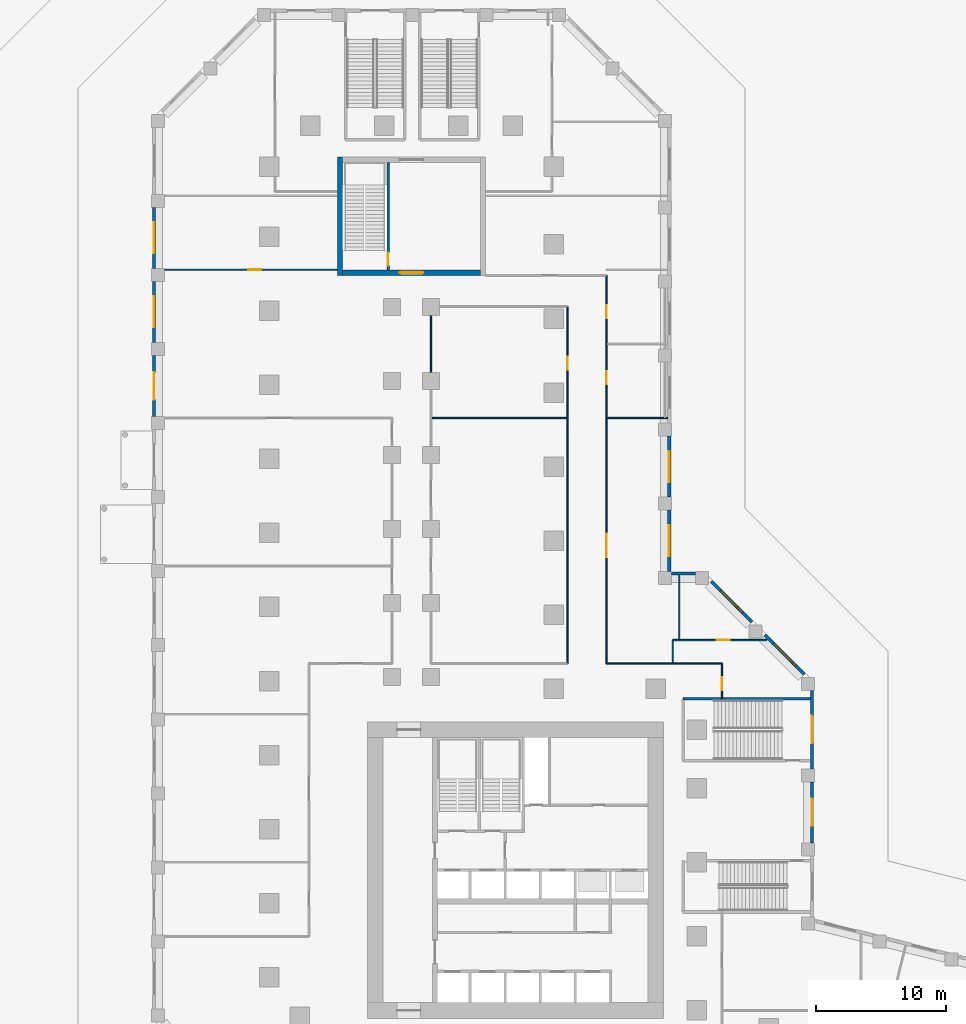
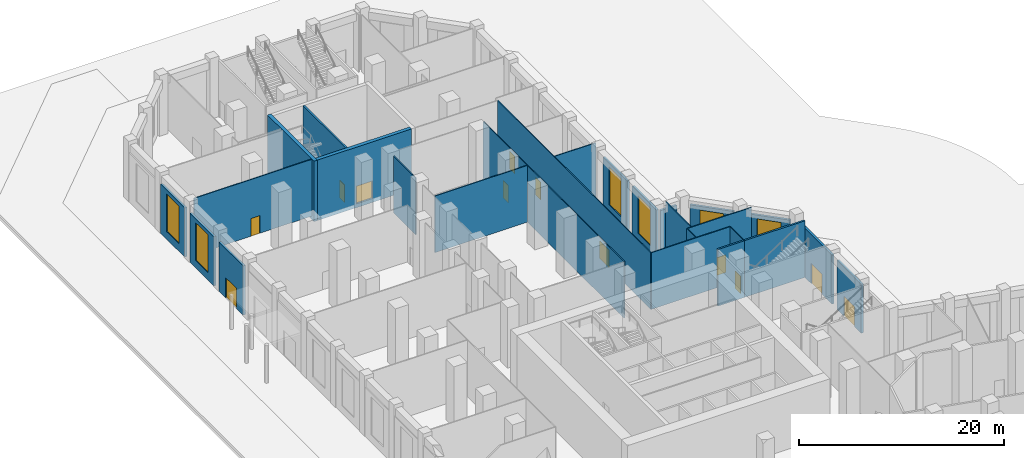
# One storey, part 18 of 27: 26 walls, 12 doors, 6 windows, 18 openings.
"""IFC4 building model written with IfcOpenShell, lengths in metres."""

from ifc_helpers import new_model, si_unit, direction, frame, frame_2d, origin, place, context, subcontext, project, spatial, rectangle, extrude, material, layer, layer_set, type_object, element, fill, save


model = new_model("IFC4")

# Units and contexts
model_context = context("Model", 3, precision=1e-05, world=origin(), true_north=direction((0.0, 1.0)))
body_context = subcontext(model_context, "Body", "Model", "MODEL_VIEW")
ifc_project = project(units=[si_unit("LENGTHUNIT", "METRE"), si_unit("AREAUNIT", "SQUARE_METRE"), si_unit("VOLUMEUNIT", "CUBIC_METRE"), si_unit("PLANEANGLEUNIT", "RADIAN"), si_unit("MASSUNIT", "GRAM", prefix="KILO")], contexts=[model_context])

# Site, building, storey
site_placement = place(None, origin())
site = spatial("IfcSite", under=ifc_project, at=site_placement, CompositionType="ELEMENT")
building_placement = place(site_placement, origin())
building = spatial("IfcBuilding", under=site, at=building_placement, Name="Meshkara Civic Tower", CompositionType="ELEMENT")
storey_placement = place(building_placement, origin())
storey = spatial("IfcBuildingStorey", under=building, at=storey_placement, Name="L00", CompositionType="ELEMENT", Elevation=0.0)

# Wall, opening, door
ifc_material_1 = material(Name="Corridor wall 100")
ifc_layer_1 = layer(ifc_material_1, 0.10009765625)
ifc_layer_set_1 = layer_set([ifc_layer_1], Name="Corridor wall 100")
wall_type_1 = type_object("IfcWallType", Name="Corridor wall 100", PredefinedType="PARTITIONING", material=ifc_layer_set_1)
wall_1_placement = place(storey_placement, frame((5.699951171875, 71.699951171875, 0.0), z_axis=(0.0, 0.0, 1.0), x_axis=(-1.0, 0.0, 0.0)))
wall_1 = element("IfcWall", 1, at=wall_1_placement, inside=storey, type_object=wall_type_1, Name="L00-R009", PredefinedType="PARTITIONING", context=body_context, shape_type="SweptSolid", body=[
    extrude(rectangle(XDim=13.280029296875, YDim=0.10009765625, at=frame_2d((6.64013671875, 0.0))), origin(), (0.0, 0.0, 1.0), 6.75),
])
opening_1_placement = place(wall_1_placement, frame((5.8798828125, 0.0, 0.0)))
opening_1 = element("IfcOpeningElement", 2, at=opening_1_placement, cuts=wall_1, Name="Opening L00-P033", PredefinedType="OPENING", context=body_context, shape_type="SweptSolid", body=[
    extrude(rectangle(XDim=1.0, YDim=2.10009765625, at=frame_2d((0.5, 1.050048828125))), frame((0.0, 0.06005859375, 0.0), z_axis=(0.0, -1.0, 0.0), x_axis=(1.0, 0.0, 0.0)), (0.0, 0.0, 1.0), 0.1201171875),
])
ifc_material_2 = material(Name="Door 1000 x 2100")
door_type_1 = type_object("IfcDoorType", Name="Door 1000 x 2100", OperationType="SINGLE_SWING_LEFT", PredefinedType="DOOR", material=ifc_material_2)
door_1_placement = place(opening_1_placement, origin())
door_1 = element("IfcDoor", 3, at=door_1_placement, inside=storey, type_object=door_type_1, Name="L00-P033", OperationType="SINGLE_SWING_LEFT", OverallHeight=2.10009765625, OverallWidth=1.0, PredefinedType="DOOR", context=body_context, shape_type="SweptSolid", body=[
    extrude(rectangle(XDim=1.0, YDim=2.10009765625, at=frame_2d((0.5, 1.050048828125))), frame((0.0, 0.02490234375, 0.0), z_axis=(0.0, -1.0, 0.0), x_axis=(1.0, 0.0, 0.0)), (0.0, 0.0, 1.0), 0.050048828125),
])
fill(opening_1, door_1)

# Wall
wall_2_placement = place(storey_placement, frame((12.89990234375, 63.820068359375, 0.0), z_axis=(0.0, 0.0, 1.0), x_axis=(0.0, 1.0, 0.0)))
element("IfcWall", 4, at=wall_2_placement, inside=storey, type_object=wall_type_1, Name="L00-R023", PredefinedType="PARTITIONING", context=body_context, shape_type="SweptSolid", body=[
    extrude(rectangle(XDim=4.35986328125, YDim=0.10009765625, at=frame_2d((2.179931640625, 0.0))), origin(), (0.0, 0.0, 1.0), 6.75),
])

# Wall, opening, door
wall_3_placement = place(storey_placement, frame((23.39990234375, 68.8701171875, 0.0), z_axis=(0.0, 0.0, 1.0), x_axis=(0.0, -1.0, 0.0)))
wall_3 = element("IfcWall", 5, at=wall_3_placement, inside=storey, type_object=wall_type_1, Name="L00-R033", PredefinedType="PARTITIONING", context=body_context, shape_type="SweptSolid", body=[
    extrude(rectangle(XDim=27.47021484375, YDim=0.10009765625, at=frame_2d((13.735107421875, 0.0))), origin(), (0.0, 0.0, 1.0), 6.75),
])
opening_2_placement = place(wall_3_placement, frame((3.8798828125, 0.0, 0.0)))
opening_2 = element("IfcOpeningElement", 6, at=opening_2_placement, cuts=wall_3, Name="Opening L00-P031", PredefinedType="OPENING", context=body_context, shape_type="SweptSolid", body=[
    extrude(rectangle(XDim=1.0, YDim=2.10009765625, at=frame_2d((0.5, 1.050048828125))), frame((0.0, 0.06005859375, 0.0), z_axis=(0.0, -1.0, 0.0), x_axis=(1.0, 0.0, 0.0)), (0.0, 0.0, 1.0), 0.1201171875),
])
door_2_placement = place(opening_2_placement, origin())
door_2 = element("IfcDoor", 7, at=door_2_placement, inside=storey, type_object=door_type_1, Name="L00-P031", OperationType="SINGLE_SWING_RIGHT", OverallHeight=2.10009765625, OverallWidth=1.0, PredefinedType="DOOR", context=body_context, shape_type="SweptSolid", body=[
    extrude(rectangle(XDim=1.0, YDim=2.10009765625, at=frame_2d((0.5, 1.050048828125))), frame((0.0, 0.02490234375, 0.0), z_axis=(0.0, -1.0, 0.0), x_axis=(1.0, 0.0, 0.0)), (0.0, 0.0, 1.0), 0.050048828125),
])
fill(opening_2, door_2)

# Wall, openings, doors
wall_4_placement = place(storey_placement, frame((26.39990234375, 41.39990234375, 0.0), z_axis=(0.0, 0.0, 1.0), x_axis=(0.0, 1.0, 0.0)))
wall_4 = element("IfcWall", 8, at=wall_4_placement, inside=storey, type_object=wall_type_1, Name="L00-R035", PredefinedType="PARTITIONING", context=body_context, shape_type="SweptSolid", body=[
    extrude(rectangle(XDim=29.8701171875, YDim=0.10009765625, at=frame_2d((14.93505859375, 0.0))), origin(), (0.0, 0.0, 1.0), 6.75),
])
opening_3_placement = place(wall_4_placement, frame((8.179931640625, 0.0, 0.0)))
opening_3 = element("IfcOpeningElement", 9, at=opening_3_placement, cuts=wall_4, Name="Opening L00-P027", PredefinedType="OPENING", context=body_context, shape_type="SweptSolid", body=[
    extrude(rectangle(XDim=1.800048828125, YDim=2.10009765625, at=frame_2d((0.89990234375, 1.050048828125))), frame((0.0, 0.06005859375, 0.0), z_axis=(0.0, -1.0, 0.0), x_axis=(1.0, 0.0, 0.0)), (0.0, 0.0, 1.0), 0.1201171875),
])
opening_4_placement = place(wall_4_placement, frame((21.47998046875, 0.0, 0.0)))
opening_4 = element("IfcOpeningElement", 10, at=opening_4_placement, cuts=wall_4, Name="Opening L00-P032", PredefinedType="OPENING", context=body_context, shape_type="SweptSolid", body=[
    extrude(rectangle(XDim=1.0, YDim=2.10009765625, at=frame_2d((0.5, 1.050048828125))), frame((0.0, 0.06005859375, 0.0), z_axis=(0.0, -1.0, 0.0), x_axis=(1.0, 0.0, 0.0)), (0.0, 0.0, 1.0), 0.1201171875),
])
opening_5_placement = place(wall_4_placement, frame((26.580078125, 0.0, 0.0)))
opening_5 = element("IfcOpeningElement", 11, at=opening_5_placement, cuts=wall_4, Name="Opening L00-P035", PredefinedType="OPENING", context=body_context, shape_type="SweptSolid", body=[
    extrude(rectangle(XDim=1.0, YDim=2.10009765625, at=frame_2d((0.5, 1.050048828125))), frame((0.0, 0.06005859375, 0.0), z_axis=(0.0, -1.0, 0.0), x_axis=(1.0, 0.0, 0.0)), (0.0, 0.0, 1.0), 0.1201171875),
])
door_3_placement = place(opening_4_placement, origin())
door_3 = element("IfcDoor", 12, at=door_3_placement, inside=storey, type_object=door_type_1, Name="L00-P032", OperationType="SINGLE_SWING_LEFT", OverallHeight=2.10009765625, OverallWidth=1.0, PredefinedType="DOOR", context=body_context, shape_type="SweptSolid", body=[
    extrude(rectangle(XDim=1.0, YDim=2.10009765625, at=frame_2d((0.5, 1.050048828125))), frame((0.0, 0.02490234375, 0.0), z_axis=(0.0, -1.0, 0.0), x_axis=(1.0, 0.0, 0.0)), (0.0, 0.0, 1.0), 0.050048828125),
])
fill(opening_4, door_3)
door_4_placement = place(opening_5_placement, origin())
door_4 = element("IfcDoor", 13, at=door_4_placement, inside=storey, type_object=door_type_1, Name="L00-P035", OperationType="SINGLE_SWING_RIGHT", OverallHeight=2.10009765625, OverallWidth=1.0, PredefinedType="DOOR", context=body_context, shape_type="SweptSolid", body=[
    extrude(rectangle(XDim=1.0, YDim=2.10009765625, at=frame_2d((0.5, 1.050048828125))), frame((0.0, 0.02490234375, 0.0), z_axis=(0.0, -1.0, 0.0), x_axis=(1.0, 0.0, 0.0)), (0.0, 0.0, 1.0), 0.050048828125),
])
fill(opening_5, door_4)
ifc_material_3 = material(Name="Door pair 1800 x 2100")
door_type_2 = type_object("IfcDoorType", Name="Door pair 1800 x 2100", OperationType="SINGLE_SWING_LEFT", PredefinedType="DOOR", material=ifc_material_3)
door_5_placement = place(opening_3_placement, origin())
door_5 = element("IfcDoor", 14, at=door_5_placement, inside=storey, type_object=door_type_2, Name="L00-P027", OperationType="DOUBLE_DOOR_SINGLE_SWING", OverallHeight=2.10009765625, OverallWidth=1.800048828125, PredefinedType="DOOR", context=body_context, shape_type="SweptSolid", body=[
    extrude(rectangle(XDim=1.800048828125, YDim=2.10009765625, at=frame_2d((0.89990234375, 1.050048828125))), frame((0.0, 0.02490234375, 0.0), z_axis=(0.0, -1.0, 0.0), x_axis=(1.0, 0.0, 0.0)), (0.0, 0.0, 1.0), 0.050048828125),
])
fill(opening_3, door_5)

# Wall
wall_5_placement = place(storey_placement, frame((26.39990234375, 41.39990234375, 0.0), z_axis=(0.0, 0.0, 1.0), x_axis=(1.0, 0.0, 0.0)))
element("IfcWall", 15, at=wall_5_placement, inside=storey, type_object=wall_type_1, Name="L00-R036", PredefinedType="PARTITIONING", context=body_context, shape_type="SweptSolid", body=[
    extrude(rectangle(XDim=8.900146484375, YDim=0.10009765625, at=frame_2d((4.4501953125, 0.0))), origin(), (0.0, 0.0, 1.0), 6.75),
])

# Wall, opening, door
wall_6_placement = place(storey_placement, frame((35.300048828125, 38.675048828125, 0.0), z_axis=(0.0, 0.0, 1.0), x_axis=(0.0, 1.0, 0.0)))
wall_6 = element("IfcWall", 16, at=wall_6_placement, inside=storey, type_object=wall_type_1, Name="L00-R048", PredefinedType="PARTITIONING", context=body_context, shape_type="SweptSolid", body=[
    extrude(rectangle(XDim=2.724853515625, YDim=0.10009765625, at=frame_2d((1.3623046875, 0.0))), origin(), (0.0, 0.0, 1.0), 6.75),
])
opening_6_placement = place(wall_6_placement, frame((0.679931640625, 0.0, 0.0)))
opening_6 = element("IfcOpeningElement", 17, at=opening_6_placement, cuts=wall_6, Name="Opening L00-P023", PredefinedType="OPENING", context=body_context, shape_type="SweptSolid", body=[
    extrude(rectangle(XDim=1.0, YDim=2.10009765625, at=frame_2d((0.5, 1.050048828125))), frame((0.0, 0.06005859375, 0.0), z_axis=(0.0, -1.0, 0.0), x_axis=(1.0, 0.0, 0.0)), (0.0, 0.0, 1.0), 0.1201171875),
])
door_6_placement = place(opening_6_placement, origin())
door_6 = element("IfcDoor", 18, at=door_6_placement, inside=storey, type_object=door_type_1, Name="L00-P023", OperationType="SINGLE_SWING_LEFT", OverallHeight=2.10009765625, OverallWidth=1.0, PredefinedType="DOOR", context=body_context, shape_type="SweptSolid", body=[
    extrude(rectangle(XDim=1.0, YDim=2.10009765625, at=frame_2d((0.5, 1.050048828125))), frame((0.0, 0.02490234375, 0.0), z_axis=(0.0, -1.0, 0.0), x_axis=(1.0, 0.0, 0.0)), (0.0, 0.0, 1.0), 0.050048828125),
])
fill(opening_6, door_6)

# Wall
ifc_material_4 = material(Name="Concrete C80", Category="concrete")
ifc_layer_2 = layer(ifc_material_4, 0.39990234375)
ifc_layer_set_2 = layer_set([ifc_layer_2], Name="End core ring wall 400 C80")
wall_type_2 = type_object("IfcWallType", Name="End core ring wall 400 C80", PredefinedType="SHEAR", material=ifc_layer_set_2)
wall_7_placement = place(storey_placement, frame((5.89990234375, 71.27001953125, -0.449951171875), z_axis=(0.0, 0.0, 1.0), x_axis=(0.0, 1.0, 0.0)))
element("IfcWall", 19, at=wall_7_placement, inside=storey, type_object=wall_type_2, Name="L00-C025", PredefinedType="SHEAR", context=body_context, shape_type="SweptSolid", body=[
    extrude(rectangle(XDim=9.10009765625, YDim=0.39990234375, at=frame_2d((4.550048828125, 0.0))), origin(), (0.0, 0.0, 1.0), 7.199951171875),
])

# Wall, opening, door
wall_8_placement = place(storey_placement, frame((6.10009765625, 71.469970703125, -0.449951171875), z_axis=(0.0, 0.0, 1.0), x_axis=(1.0, 0.0, 0.0)))
wall_8 = element("IfcWall", 20, at=wall_8_placement, inside=storey, type_object=wall_type_2, Name="L00-C027", PredefinedType="SHEAR", context=body_context, shape_type="SweptSolid", body=[
    extrude(rectangle(XDim=10.599853515625, YDim=0.39990234375, at=frame_2d((5.2998046875, 0.0))), origin(), (0.0, 0.0, 1.0), 7.199951171875),
])
opening_7_placement = place(wall_8_placement, frame((4.39990234375, 0.0, 0.449951171875)))
opening_7 = element("IfcOpeningElement", 21, at=opening_7_placement, cuts=wall_8, Name="Opening L00-K102", PredefinedType="OPENING", context=body_context, shape_type="SweptSolid", body=[
    extrude(rectangle(XDim=1.800048828125, YDim=2.10009765625, at=frame_2d((0.89990234375, 1.050048828125))), frame((0.0, 0.2099609375, 0.0), z_axis=(0.0, -1.0, 0.0), x_axis=(1.0, 0.0, 0.0)), (0.0, 0.0, 1.0), 0.419921875),
])
ifc_material_5 = material(Name="Fire-rated door leaf in steel frame", Category="steel")
door_type_3 = type_object("IfcDoorType", Name="Core double door 1800 EI 60", OperationType="DOUBLE_DOOR_SINGLE_SWING", PredefinedType="DOOR", material=ifc_material_5)
door_7_placement = place(opening_7_placement, origin())
door_7 = element("IfcDoor", 22, at=door_7_placement, inside=storey, type_object=door_type_3, Name="L00-K102", OperationType="DOUBLE_DOOR_SINGLE_SWING", OverallHeight=2.10009765625, OverallWidth=1.800048828125, PredefinedType="DOOR", context=body_context, shape_type="SweptSolid", body=[
    extrude(rectangle(XDim=1.800048828125, YDim=2.10009765625, at=frame_2d((0.89990234375, 1.050048828125))), frame((0.0, 0.02490234375, 0.0), z_axis=(0.0, -1.0, 0.0), x_axis=(1.0, 0.0, 0.0)), (0.0, 0.0, 1.0), 0.050048828125),
])
fill(opening_7, door_7)

# Wall, opening, window
ifc_material_6 = material(Name="Stone cladding on insulated backing wall", Category="masonry")
ifc_layer_3 = layer(ifc_material_6, 0.25)
ifc_layer_set_3 = layer_set([ifc_layer_3], Name="PODIUM STONE WALL 250")
wall_type_3 = type_object("IfcWallType", Name="PODIUM STONE WALL 250", PredefinedType="SOLIDWALL", material=ifc_layer_set_3)
wall_9_placement = place(storey_placement, frame((-8.425048828125, 76.510986328125, 0.0), z_axis=(0.0, 0.0, 1.0), x_axis=(0.0, -1.0, 0.0)))
wall_9 = element("IfcWall", 23, at=wall_9_placement, inside=storey, type_object=wall_type_3, Name="Podium external wall", PredefinedType="SOLIDWALL", context=body_context, shape_type="SweptSolid", body=[
    extrude(rectangle(XDim=4.699951171875, YDim=0.25, at=frame_2d((2.35009765625, 0.0))), origin(), (0.0, 0.0, 1.0), 5.85009765625),
])
opening_8_placement = place(wall_9_placement, frame((1.14990234375, 0.0, 0.89990234375)))
opening_8 = element("IfcOpeningElement", 24, at=opening_8_placement, cuts=wall_9, Name="Opening PW1", PredefinedType="OPENING", context=body_context, shape_type="SweptSolid", body=[
    extrude(rectangle(XDim=2.39990234375, YDim=4.5, at=frame_2d((1.199951171875, 2.25))), frame((0.0, 0.135009765625, 0.0), z_axis=(0.0, -1.0, 0.0), x_axis=(1.0, 0.0, 0.0)), (0.0, 0.0, 1.0), 0.27001953125),
])
ifc_material_7 = material(Name="Tinted double glazing", Category="glass")
window_type = type_object("IfcWindowType", Name="PODIUM WINDOW 2400x4500", PartitioningType="DOUBLE_PANEL_VERTICAL", PredefinedType="WINDOW", material=ifc_material_7)
window_1_placement = place(opening_8_placement, origin())
window_1 = element("IfcWindow", 25, at=window_1_placement, inside=storey, type_object=window_type, Name="Podium window", OverallHeight=4.5, OverallWidth=2.39990234375, PartitioningType="DOUBLE_PANEL_VERTICAL", PredefinedType="WINDOW", context=body_context, shape_type="SweptSolid", body=[
    extrude(rectangle(XDim=2.39990234375, YDim=4.5, at=frame_2d((1.199951171875, 2.25))), frame((0.0, 0.030029296875, 0.0), z_axis=(0.0, -1.0, 0.0), x_axis=(1.0, 0.0, 0.0)), (0.0, 0.0, 1.0), 0.06005859375),
])
fill(opening_8, window_1)

wall_10_placement = place(storey_placement, frame((-8.425048828125, 70.81103515625, 0.0), z_axis=(0.0, 0.0, 1.0), x_axis=(0.0, -1.0, 0.0)))
wall_10 = element("IfcWall", 26, at=wall_10_placement, inside=storey, type_object=wall_type_3, Name="Podium external wall", PredefinedType="SOLIDWALL", context=body_context, shape_type="SweptSolid", body=[
    extrude(rectangle(XDim=4.699951171875, YDim=0.25, at=frame_2d((2.35009765625, 0.0))), origin(), (0.0, 0.0, 1.0), 5.85009765625),
])
opening_9_placement = place(wall_10_placement, frame((1.14990234375, 0.0, 0.89990234375)))
opening_9 = element("IfcOpeningElement", 27, at=opening_9_placement, cuts=wall_10, Name="Opening PW1", PredefinedType="OPENING", context=body_context, shape_type="SweptSolid", body=[
    extrude(rectangle(XDim=2.39990234375, YDim=4.5, at=frame_2d((1.199951171875, 2.25))), frame((0.0, 0.135009765625, 0.0), z_axis=(0.0, -1.0, 0.0), x_axis=(1.0, 0.0, 0.0)), (0.0, 0.0, 1.0), 0.27001953125),
])
window_2_placement = place(opening_9_placement, origin())
window_2 = element("IfcWindow", 28, at=window_2_placement, inside=storey, type_object=window_type, Name="Podium window", OverallHeight=4.5, OverallWidth=2.39990234375, PartitioningType="DOUBLE_PANEL_VERTICAL", PredefinedType="WINDOW", context=body_context, shape_type="SweptSolid", body=[
    extrude(rectangle(XDim=2.39990234375, YDim=4.5, at=frame_2d((1.199951171875, 2.25))), frame((0.0, 0.030029296875, 0.0), z_axis=(0.0, -1.0, 0.0), x_axis=(1.0, 0.0, 0.0)), (0.0, 0.0, 1.0), 0.06005859375),
])
fill(opening_9, window_2)

# Wall, opening, door
wall_11_placement = place(storey_placement, frame((-8.425048828125, 65.111083984375, 0.0), z_axis=(0.0, 0.0, 1.0), x_axis=(0.0, -1.0, 0.0)))
wall_11 = element("IfcWall", 29, at=wall_11_placement, inside=storey, type_object=wall_type_3, Name="Podium external wall", PredefinedType="SOLIDWALL", context=body_context, shape_type="SweptSolid", body=[
    extrude(rectangle(XDim=4.7001953125, YDim=0.25, at=frame_2d((2.35009765625, 0.0))), origin(), (0.0, 0.0, 1.0), 5.85009765625),
])
opening_10_placement = place(wall_11_placement, frame((1.300048828125, 0.0, 0.0)))
opening_10 = element("IfcOpeningElement", 30, at=opening_10_placement, cuts=wall_11, Name="Opening L00-G005", PredefinedType="OPENING", context=body_context, shape_type="SweptSolid", body=[
    extrude(rectangle(XDim=2.10009765625, YDim=2.39990234375, at=frame_2d((1.050048828125, 1.199951171875))), frame((0.0, 0.135009765625, 0.0), z_axis=(0.0, -1.0, 0.0), x_axis=(1.0, 0.0, 0.0)), (0.0, 0.0, 1.0), 0.27001953125),
])
ifc_material_8 = material(Name="Steel S355", Category="steel")
door_type_4 = type_object("IfcDoorType", Name="EXIT DOOR PAIR 2100x2400", OperationType="DOUBLE_DOOR_DOUBLE_SWING", PredefinedType="DOOR", material=ifc_material_8)
door_8_placement = place(opening_10_placement, origin())
door_8 = element("IfcDoor", 31, at=door_8_placement, inside=storey, type_object=door_type_4, Name="L00-G005", OperationType="DOUBLE_DOOR_DOUBLE_SWING", OverallHeight=2.39990234375, OverallWidth=2.10009765625, PredefinedType="DOOR", context=body_context, shape_type="SweptSolid", body=[
    extrude(rectangle(XDim=2.10009765625, YDim=2.39990234375, at=frame_2d((1.050048828125, 1.199951171875))), frame((0.0, 0.02490234375, 0.0), z_axis=(0.0, -1.0, 0.0), x_axis=(1.0, 0.0, 0.0)), (0.0, 0.0, 1.0), 0.050048828125),
])
fill(opening_10, door_8)

wall_12_placement = place(storey_placement, frame((42.22509765625, 27.59912109375, 0.0), z_axis=(0.0, 0.0, 1.0), x_axis=(0.0, 1.0, 0.0)))
wall_12 = element("IfcWall", 32, at=wall_12_placement, inside=storey, type_object=wall_type_3, Name="Podium external wall", PredefinedType="SOLIDWALL", context=body_context, shape_type="SweptSolid", body=[
    extrude(rectangle(XDim=4.699951171875, YDim=0.25, at=frame_2d((2.35009765625, 0.0))), origin(), (0.0, 0.0, 1.0), 5.85009765625),
])
opening_11_placement = place(wall_12_placement, frame((1.300048828125, 0.0, 0.0)))
opening_11 = element("IfcOpeningElement", 33, at=opening_11_placement, cuts=wall_12, Name="Opening L00-G019", PredefinedType="OPENING", context=body_context, shape_type="SweptSolid", body=[
    extrude(rectangle(XDim=2.10009765625, YDim=2.39990234375, at=frame_2d((1.050048828125, 1.199951171875))), frame((0.0, 0.135009765625, 0.0), z_axis=(0.0, -1.0, 0.0), x_axis=(1.0, 0.0, 0.0)), (0.0, 0.0, 1.0), 0.27001953125),
])
door_9_placement = place(opening_11_placement, origin())
door_9 = element("IfcDoor", 34, at=door_9_placement, inside=storey, type_object=door_type_4, Name="L00-G019", OperationType="DOUBLE_DOOR_DOUBLE_SWING", OverallHeight=2.39990234375, OverallWidth=2.10009765625, PredefinedType="DOOR", context=body_context, shape_type="SweptSolid", body=[
    extrude(rectangle(XDim=2.10009765625, YDim=2.39990234375, at=frame_2d((1.050048828125, 1.199951171875))), frame((0.0, 0.02490234375, 0.0), z_axis=(0.0, -1.0, 0.0), x_axis=(1.0, 0.0, 0.0)), (0.0, 0.0, 1.0), 0.050048828125),
])
fill(opening_11, door_9)

wall_13_placement = place(storey_placement, frame((42.22509765625, 33.299072265625, 0.0), z_axis=(0.0, 0.0, 1.0), x_axis=(0.0, 1.0, 0.0)))
wall_13 = element("IfcWall", 35, at=wall_13_placement, inside=storey, type_object=wall_type_3, Name="Podium external wall", PredefinedType="SOLIDWALL", context=body_context, shape_type="SweptSolid", body=[
    extrude(rectangle(XDim=6.036865234375, YDim=0.25, at=frame_2d((3.0185546875, 0.0))), origin(), (0.0, 0.0, 1.0), 5.85009765625),
])
opening_12_placement = place(wall_13_placement, frame((1.968017578125, 0.0, 0.0)))
opening_12 = element("IfcOpeningElement", 36, at=opening_12_placement, cuts=wall_13, Name="Opening L00-G020", PredefinedType="OPENING", context=body_context, shape_type="SweptSolid", body=[
    extrude(rectangle(XDim=2.10009765625, YDim=2.39990234375, at=frame_2d((1.050048828125, 1.199951171875))), frame((0.0, 0.135009765625, 0.0), z_axis=(0.0, -1.0, 0.0), x_axis=(1.0, 0.0, 0.0)), (0.0, 0.0, 1.0), 0.27001953125),
])
door_10_placement = place(opening_12_placement, origin())
door_10 = element("IfcDoor", 37, at=door_10_placement, inside=storey, type_object=door_type_4, Name="L00-G020", OperationType="DOUBLE_DOOR_DOUBLE_SWING", OverallHeight=2.39990234375, OverallWidth=2.10009765625, PredefinedType="DOOR", context=body_context, shape_type="SweptSolid", body=[
    extrude(rectangle(XDim=2.10009765625, YDim=2.39990234375, at=frame_2d((1.050048828125, 1.199951171875))), frame((0.0, 0.02490234375, 0.0), z_axis=(0.0, -1.0, 0.0), x_axis=(1.0, 0.0, 0.0)), (0.0, 0.0, 1.0), 0.050048828125),
])
fill(opening_12, door_10)

# Wall, opening, window
wall_14_placement = place(storey_placement, frame((41.6298828125, 40.56591796875, 0.0), z_axis=(0.0, 0.0, 1.0), x_axis=(-0.707078301545, 0.707135259681, 0.0)))
wall_14 = element("IfcWall", 38, at=wall_14_placement, inside=storey, type_object=wall_type_3, Name="Podium external wall", PredefinedType="SOLIDWALL", context=body_context, shape_type="SweptSolid", body=[
    extrude(rectangle(XDim=4.286376953125, YDim=0.25, at=frame_2d((2.14306640625, 0.0))), origin(), (0.0, 0.0, 1.0), 5.85009765625),
])
opening_13_placement = place(wall_14_placement, frame((0.943115234375, 0.0, 0.89990234375)))
opening_13 = element("IfcOpeningElement", 39, at=opening_13_placement, cuts=wall_14, Name="Opening PW1", PredefinedType="OPENING", context=body_context, shape_type="SweptSolid", body=[
    extrude(rectangle(XDim=2.39990234375, YDim=4.5, at=frame_2d((1.199951171875, 2.25))), frame((0.0, 0.135009765625, 0.0), z_axis=(0.0, -1.0, 0.0), x_axis=(1.0, 0.0, 0.0)), (0.0, 0.0, 1.0), 0.27001953125),
])
window_3_placement = place(opening_13_placement, origin())
window_3 = element("IfcWindow", 40, at=window_3_placement, inside=storey, type_object=window_type, Name="Podium window", OverallHeight=4.5, OverallWidth=2.39990234375, PartitioningType="DOUBLE_PANEL_VERTICAL", PredefinedType="WINDOW", context=body_context, shape_type="SweptSolid", body=[
    extrude(rectangle(XDim=2.39990234375, YDim=4.5, at=frame_2d((1.199951171875, 2.25))), frame((0.0, 0.030029296875, 0.0), z_axis=(0.0, -1.0, 0.0), x_axis=(1.0, 0.0, 0.0)), (0.0, 0.0, 1.0), 0.06005859375),
])
fill(opening_13, window_3)

wall_15_placement = place(storey_placement, frame((37.59912109375, 44.596923828125, 0.0), z_axis=(0.0, 0.0, 1.0), x_axis=(-0.707106781187, 0.707106781187, 0.0)))
wall_15 = element("IfcWall", 41, at=wall_15_placement, inside=storey, type_object=wall_type_3, Name="Podium external wall", PredefinedType="SOLIDWALL", context=body_context, shape_type="SweptSolid", body=[
    extrude(rectangle(XDim=4.430908203125, YDim=0.25, at=frame_2d((2.21533203125, 0.0))), origin(), (0.0, 0.0, 1.0), 5.85009765625),
])
opening_14_placement = place(wall_15_placement, frame((1.014892578125, 0.0, 0.89990234375)))
opening_14 = element("IfcOpeningElement", 42, at=opening_14_placement, cuts=wall_15, Name="Opening PW1", PredefinedType="OPENING", context=body_context, shape_type="SweptSolid", body=[
    extrude(rectangle(XDim=2.39990234375, YDim=4.5, at=frame_2d((1.199951171875, 2.25))), frame((0.0, 0.135009765625, 0.0), z_axis=(0.0, -1.0, 0.0), x_axis=(1.0, 0.0, 0.0)), (0.0, 0.0, 1.0), 0.27001953125),
])
window_4_placement = place(opening_14_placement, origin())
window_4 = element("IfcWindow", 43, at=window_4_placement, inside=storey, type_object=window_type, Name="Podium window", OverallHeight=4.5, OverallWidth=2.39990234375, PartitioningType="DOUBLE_PANEL_VERTICAL", PredefinedType="WINDOW", context=body_context, shape_type="SweptSolid", body=[
    extrude(rectangle(XDim=2.39990234375, YDim=4.5, at=frame_2d((1.199951171875, 2.25))), frame((0.0, 0.030029296875, 0.0), z_axis=(0.0, -1.0, 0.0), x_axis=(1.0, 0.0, 0.0)), (0.0, 0.0, 1.0), 0.06005859375),
])
fill(opening_14, window_4)

# Wall
wall_16_placement = place(storey_placement, frame((33.236083984375, 48.324951171875, 0.0), z_axis=(0.0, 0.0, 1.0), x_axis=(-1.0, 0.0, 0.0)))
element("IfcWall", 44, at=wall_16_placement, inside=storey, type_object=wall_type_3, Name="Podium external wall", PredefinedType="SOLIDWALL", context=body_context, shape_type="SweptSolid", body=[
    extrude(rectangle(XDim=1.836181640625, YDim=0.25, at=frame_2d((0.91796875, 0.0))), origin(), (0.0, 0.0, 1.0), 5.85009765625),
])

# Wall, opening, window
wall_17_placement = place(storey_placement, frame((31.22509765625, 48.5, 0.0), z_axis=(0.0, 0.0, 1.0), x_axis=(0.0, 1.0, 0.0)))
wall_17 = element("IfcWall", 45, at=wall_17_placement, inside=storey, type_object=wall_type_3, Name="Podium external wall", PredefinedType="SOLIDWALL", context=body_context, shape_type="SweptSolid", body=[
    extrude(rectangle(XDim=4.699951171875, YDim=0.25, at=frame_2d((2.35009765625, 0.0))), origin(), (0.0, 0.0, 1.0), 5.85009765625),
])
opening_15_placement = place(wall_17_placement, frame((1.14990234375, 0.0, 0.89990234375)))
opening_15 = element("IfcOpeningElement", 46, at=opening_15_placement, cuts=wall_17, Name="Opening PW1", PredefinedType="OPENING", context=body_context, shape_type="SweptSolid", body=[
    extrude(rectangle(XDim=2.39990234375, YDim=4.5, at=frame_2d((1.199951171875, 2.25))), frame((0.0, 0.135009765625, 0.0), z_axis=(0.0, -1.0, 0.0), x_axis=(1.0, 0.0, 0.0)), (0.0, 0.0, 1.0), 0.27001953125),
])
window_5_placement = place(opening_15_placement, origin())
window_5 = element("IfcWindow", 47, at=window_5_placement, inside=storey, type_object=window_type, Name="Podium window", OverallHeight=4.5, OverallWidth=2.39990234375, PartitioningType="DOUBLE_PANEL_VERTICAL", PredefinedType="WINDOW", context=body_context, shape_type="SweptSolid", body=[
    extrude(rectangle(XDim=2.39990234375, YDim=4.5, at=frame_2d((1.199951171875, 2.25))), frame((0.0, 0.030029296875, 0.0), z_axis=(0.0, -1.0, 0.0), x_axis=(1.0, 0.0, 0.0)), (0.0, 0.0, 1.0), 0.06005859375),
])
fill(opening_15, window_5)

wall_18_placement = place(storey_placement, frame((31.22509765625, 54.199951171875, 0.0), z_axis=(0.0, 0.0, 1.0), x_axis=(0.0, 1.0, 0.0)))
wall_18 = element("IfcWall", 48, at=wall_18_placement, inside=storey, type_object=wall_type_3, Name="Podium external wall", PredefinedType="SOLIDWALL", context=body_context, shape_type="SweptSolid", body=[
    extrude(rectangle(XDim=4.699951171875, YDim=0.25, at=frame_2d((2.35009765625, 0.0))), origin(), (0.0, 0.0, 1.0), 5.85009765625),
])
opening_16_placement = place(wall_18_placement, frame((1.14990234375, 0.0, 0.89990234375)))
opening_16 = element("IfcOpeningElement", 49, at=opening_16_placement, cuts=wall_18, Name="Opening PW1", PredefinedType="OPENING", context=body_context, shape_type="SweptSolid", body=[
    extrude(rectangle(XDim=2.39990234375, YDim=4.5, at=frame_2d((1.199951171875, 2.25))), frame((0.0, 0.135009765625, 0.0), z_axis=(0.0, -1.0, 0.0), x_axis=(1.0, 0.0, 0.0)), (0.0, 0.0, 1.0), 0.27001953125),
])
window_6_placement = place(opening_16_placement, origin())
window_6 = element("IfcWindow", 50, at=window_6_placement, inside=storey, type_object=window_type, Name="Podium window", OverallHeight=4.5, OverallWidth=2.39990234375, PartitioningType="DOUBLE_PANEL_VERTICAL", PredefinedType="WINDOW", context=body_context, shape_type="SweptSolid", body=[
    extrude(rectangle(XDim=2.39990234375, YDim=4.5, at=frame_2d((1.199951171875, 2.25))), frame((0.0, 0.030029296875, 0.0), z_axis=(0.0, -1.0, 0.0), x_axis=(1.0, 0.0, 0.0)), (0.0, 0.0, 1.0), 0.06005859375),
])
fill(opening_16, window_6)

# Walls
ifc_material_9 = material(Name="Partition 100")
ifc_layer_4 = layer(ifc_material_9, 0.10009765625)
ifc_layer_set_4 = layer_set([ifc_layer_4], Name="Partition 100")
wall_type_4 = type_object("IfcWallType", Name="Partition 100", PredefinedType="PARTITIONING", material=ifc_layer_set_4)
wall_19_placement = place(storey_placement, frame((23.35009765625, 60.300048828125, 0.0), z_axis=(0.0, 0.0, 1.0), x_axis=(-1.0, 0.0, 0.0)))
element("IfcWall", 51, at=wall_19_placement, inside=storey, type_object=wall_type_4, Name="L00-R089", PredefinedType="PARTITIONING", context=body_context, shape_type="SweptSolid", body=[
    extrude(rectangle(XDim=10.400146484375, YDim=0.10009765625, at=frame_2d((5.2001953125, 0.0))), origin(), (0.0, 0.0, 1.0), 6.75),
])
wall_20_placement = place(storey_placement, frame((31.10009765625, 60.300048828125, 0.0), z_axis=(0.0, 0.0, 1.0), x_axis=(-1.0, 0.0, 0.0)))
element("IfcWall", 52, at=wall_20_placement, inside=storey, type_object=wall_type_4, Name="L00-R093", PredefinedType="PARTITIONING", context=body_context, shape_type="SweptSolid", body=[
    extrude(rectangle(XDim=4.650146484375, YDim=0.10009765625, at=frame_2d((2.3251953125, 0.0))), origin(), (0.0, 0.0, 1.0), 6.75),
])
wall_21_placement = place(storey_placement, frame((31.5, 41.449951171875, 0.0), z_axis=(0.0, 0.0, 1.0), x_axis=(0.0, 1.0, 0.0)))
element("IfcWall", 53, at=wall_21_placement, inside=storey, type_object=wall_type_4, Name="L00-R097", PredefinedType="PARTITIONING", context=body_context, shape_type="SweptSolid", body=[
    extrude(rectangle(XDim=1.75, YDim=0.10009765625, at=frame_2d((0.875, 0.0))), origin(), (0.0, 0.0, 1.0), 6.75),
])

# Wall, opening, door
wall_22_placement = place(storey_placement, frame((31.5, 43.199951171875, 0.0), z_axis=(0.0, 0.0, 1.0), x_axis=(1.0, 0.0, 0.0)))
wall_22 = element("IfcWall", 54, at=wall_22_placement, inside=storey, type_object=wall_type_4, Name="L00-R098", PredefinedType="PARTITIONING", context=body_context, shape_type="SweptSolid", body=[
    extrude(rectangle(XDim=7.248046875, YDim=0.10009765625, at=frame_2d((3.6240234375, 0.0))), origin(), (0.0, 0.0, 1.0), 6.75),
])
opening_17_placement = place(wall_22_placement, frame((3.3740234375, 0.0, 0.0)))
opening_17 = element("IfcOpeningElement", 55, at=opening_17_placement, cuts=wall_22, Name="Opening L00-P024", PredefinedType="OPENING", context=body_context, shape_type="SweptSolid", body=[
    extrude(rectangle(XDim=1.0, YDim=2.10009765625, at=frame_2d((0.5, 1.050048828125))), frame((0.0, 0.06005859375, 0.0), z_axis=(0.0, -1.0, 0.0), x_axis=(1.0, 0.0, 0.0)), (0.0, 0.0, 1.0), 0.1201171875),
])
door_11_placement = place(opening_17_placement, origin())
door_11 = element("IfcDoor", 56, at=door_11_placement, inside=storey, type_object=door_type_1, Name="L00-P024", OperationType="SINGLE_SWING_LEFT", OverallHeight=2.10009765625, OverallWidth=1.0, PredefinedType="DOOR", context=body_context, shape_type="SweptSolid", body=[
    extrude(rectangle(XDim=1.0, YDim=2.10009765625, at=frame_2d((0.5, 1.050048828125))), frame((0.0, 0.02490234375, 0.0), z_axis=(0.0, -1.0, 0.0), x_axis=(1.0, 0.0, 0.0)), (0.0, 0.0, 1.0), 0.050048828125),
])
fill(opening_17, door_11)

# Wall
wall_23_placement = place(storey_placement, frame((32.0, 43.25, 0.0), z_axis=(0.0, 0.0, 1.0), x_axis=(0.0, 1.0, 0.0)))
element("IfcWall", 57, at=wall_23_placement, inside=storey, type_object=wall_type_4, Name="L00-R099", PredefinedType="PARTITIONING", context=body_context, shape_type="SweptSolid", body=[
    extrude(rectangle(XDim=4.949951171875, YDim=0.10009765625, at=frame_2d((2.47509765625, 0.0))), origin(), (0.0, 0.0, 1.0), 6.75),
])

# Wall, opening, door
ifc_material_10 = material(Name="Concrete C40/50", Category="concrete")
ifc_layer_5 = layer(ifc_material_10, 0.199951171875)
ifc_layer_set_5 = layer_set([ifc_layer_5], Name="Stair enclosure wall 200 C40/50")
wall_type_5 = type_object("IfcWallType", Name="Stair enclosure wall 200 C40/50", PredefinedType="SOLIDWALL", material=ifc_layer_set_5)
wall_24_placement = place(storey_placement, frame((9.60009765625, 71.669921875, 0.0), z_axis=(0.0, 0.0, 1.0), x_axis=(0.0, 1.0, 0.0)))
wall_24 = element("IfcWall", 58, at=wall_24_placement, inside=storey, type_object=wall_type_5, Name="L00-C029", PredefinedType="SOLIDWALL", context=body_context, shape_type="SweptSolid", body=[
    extrude(rectangle(XDim=8.300048828125, YDim=0.199951171875, at=frame_2d((4.14990234375, 0.0))), origin(), (0.0, 0.0, 1.0), 6.75),
])
opening_18_placement = place(wall_24_placement, frame((0.35009765625, 0.0, 0.0)))
opening_18 = element("IfcOpeningElement", 59, at=opening_18_placement, cuts=wall_24, Name="Opening L00-K101", PredefinedType="OPENING", context=body_context, shape_type="SweptSolid", body=[
    extrude(rectangle(XDim=1.0, YDim=2.10009765625, at=frame_2d((0.5, 1.050048828125))), frame((0.0, 0.10986328125, 0.0), z_axis=(0.0, -1.0, 0.0), x_axis=(1.0, 0.0, 0.0)), (0.0, 0.0, 1.0), 0.219970703125),
])
ifc_material_11 = material(Name="Fire-rated door leaf in steel frame", Category="steel")
door_type_5 = type_object("IfcDoorType", Name="Stair door 1000 EI 120", OperationType="SINGLE_SWING_LEFT", PredefinedType="DOOR", material=ifc_material_11)
door_12_placement = place(opening_18_placement, origin())
door_12 = element("IfcDoor", 60, at=door_12_placement, inside=storey, type_object=door_type_5, Name="L00-K101", OperationType="SINGLE_SWING_RIGHT", OverallHeight=2.10009765625, OverallWidth=1.0, PredefinedType="DOOR", context=body_context, shape_type="SweptSolid", body=[
    extrude(rectangle(XDim=1.0, YDim=2.10009765625, at=frame_2d((0.5, 1.050048828125))), frame((0.0, 0.02490234375, 0.0), z_axis=(0.0, -1.0, 0.0), x_axis=(1.0, 0.0, 0.0)), (0.0, 0.0, 1.0), 0.050048828125),
])
fill(opening_18, door_12)

# Walls
wall_25_placement = place(storey_placement, frame((32.300048828125, 38.675048828125, 0.0), z_axis=(0.0, 0.0, 1.0), x_axis=(1.0, 0.0, 0.0)))
element("IfcWall", 61, at=wall_25_placement, inside=storey, type_object=wall_type_5, Name="L00-R041", PredefinedType="SOLIDWALL", context=body_context, shape_type="SweptSolid", body=[
    extrude(rectangle(XDim=3.0, YDim=0.199951171875, at=frame_2d((1.5, 0.0))), origin(), (0.0, 0.0, 1.0), 6.75),
])
wall_26_placement = place(storey_placement, frame((42.10009765625, 38.675048828125, 0.0), z_axis=(0.0, 0.0, 1.0), x_axis=(-1.0, 0.0, 0.0)))
element("IfcWall", 62, at=wall_26_placement, inside=storey, type_object=wall_type_5, Name="L00-R105", PredefinedType="SOLIDWALL", context=body_context, shape_type="SweptSolid", body=[
    extrude(rectangle(XDim=6.800048828125, YDim=0.199951171875, at=frame_2d((3.39990234375, 0.0))), origin(), (0.0, 0.0, 1.0), 6.75),
])

save(model, "model.ifc")
